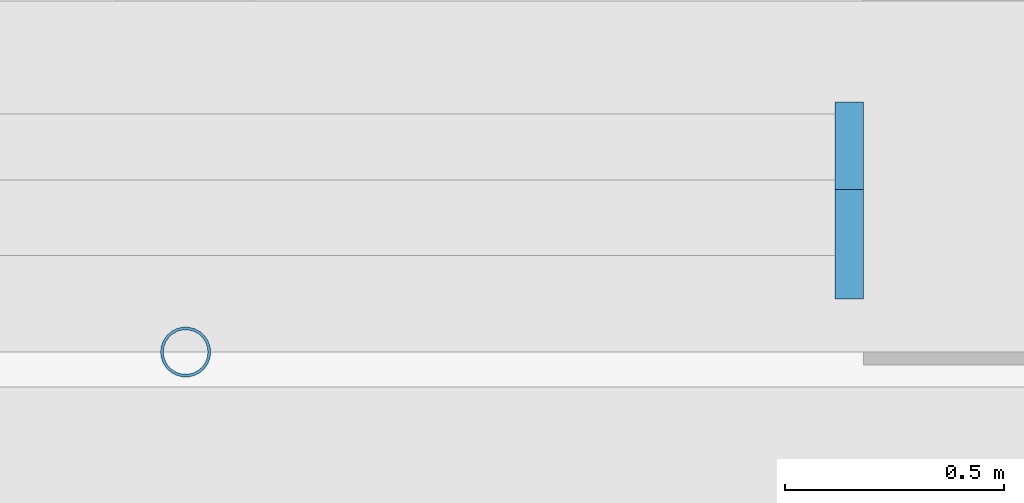
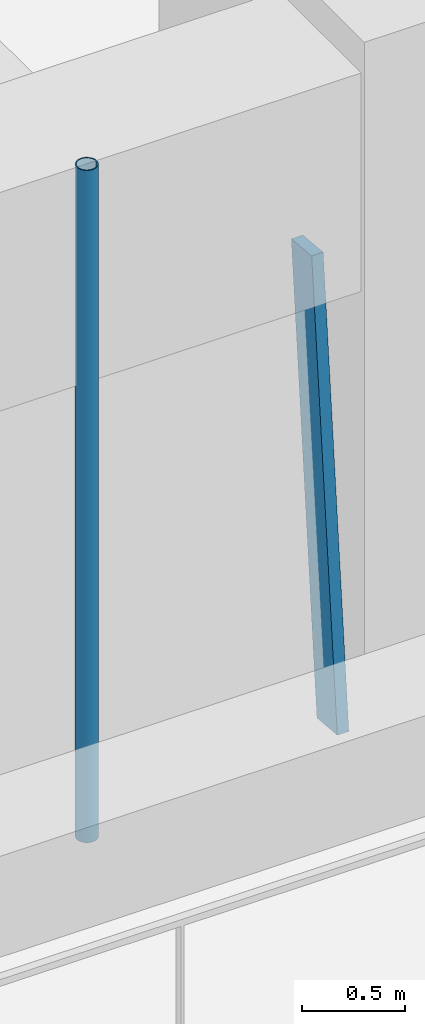
# One storey, part 4 of 23: 2 members, 1 element without a shape of its own.
"""IFC4 building model written with IfcOpenShell, lengths in metres."""

import ifcopenshell
import ifcopenshell.guid

model = None  # the IFC model being written
_history = None  # IfcOwnerHistory: only IFC2X3 demands one
_inside = {}  # id of a spatial element -> (the spatial element, [elements in it])
_under = {}  # id of a project, library or spatial element -> (it, [spatial elements below it])
_declared = {}  # id of a project -> (the project, [libraries it declares])
_typed = {}  # id of a type object -> (the type object, [elements of that type])
_made_of = {}  # id of a material, layer set ... -> (it, [elements and type objects made of it])


def new_model(schema):
    """Start an empty IFC model of exactly this schema.

    Asked for "IFC4X3", IfcOpenShell would pick the latest addendum, in which some entities
    have other attributes; the version numbers below select the first issue.
    IFC2X3 requires an IfcOwnerHistory on every rooted entity: one is made here for all.
    """
    global model, _history
    if schema == "IFC4X3":
        model = ifcopenshell.file(schema_version=(4, 3, 0, 0))
    else:
        model = ifcopenshell.file(schema=schema)
    _inside.clear()
    _under.clear()
    _declared.clear()
    _typed.clear()
    _made_of.clear()
    _history = None
    if model.schema == "IFC2X3":
        org = make("IfcOrganization", Name="unknown")
        user = make(
            "IfcPersonAndOrganization",
            ThePerson=make("IfcPerson", FamilyName="unknown"),
            TheOrganization=org,
        )
        app = make(
            "IfcApplication",
            ApplicationDeveloper=org,
            Version="unknown",
            ApplicationFullName="unknown",
            ApplicationIdentifier="unknown",
        )
        _history = make(
            "IfcOwnerHistory",
            OwningUser=user,
            OwningApplication=app,
            ChangeAction="ADDED",
            CreationDate=0,
        )
    return model


def make(cls, **values):
    """One entity of the class cls with the attributes given. An attribute that is None is left unset."""
    return model.create_entity(
        cls, **{name: value for name, value in values.items() if value is not None}
    )


def rooted(cls, **values):
    """An entity with a GlobalId (a new one), such as an element, a storey or a relation."""
    return make(cls, GlobalId=ifcopenshell.guid.new(), OwnerHistory=_history, **values)


def si_unit(unit_type, name, prefix=None):
    """IfcSIUnit, for example si_unit("LENGTHUNIT", "METRE", prefix="MILLI")."""
    return make("IfcSIUnit", UnitType=unit_type, Prefix=prefix, Name=name)


def assignment(units):
    """IfcUnitAssignment: the units of a project."""
    return None if units is None else make("IfcUnitAssignment", Units=units)


def point(xyz):
    """IfcCartesianPoint."""
    return None if xyz is None else make("IfcCartesianPoint", Coordinates=xyz)


def direction(xyz):
    """IfcDirection."""
    return None if xyz is None else make("IfcDirection", DirectionRatios=xyz)


def frame(location, z_axis=None, x_axis=None):
    """IfcAxis2Placement3D, a coordinate frame: its origin and axes. An axis left out is left unset."""
    return make(
        "IfcAxis2Placement3D",
        Location=point(location),
        Axis=direction(z_axis),
        RefDirection=direction(x_axis),
    )


def frame_2d(location, x_axis=None):
    """IfcAxis2Placement2D, a coordinate frame in the plane: its origin and x axis."""
    return make(
        "IfcAxis2Placement2D", Location=point(location), RefDirection=direction(x_axis)
    )


def origin():
    """The frame at (0, 0, 0) with its axes left unset."""
    return frame((0.0, 0.0, 0.0))


def origin_2d():
    """The frame at (0, 0) in the plane with its x axis left unset."""
    return frame_2d((0.0, 0.0))


def place(relative_to, where):
    """IfcLocalPlacement: puts the frame where relative to a parent placement (None: the world)."""
    return make(
        "IfcLocalPlacement", PlacementRelTo=relative_to, RelativePlacement=where
    )


def context(
    kind, dimensions, precision=None, world=None, true_north=None, identifier=None
):
    """IfcGeometricRepresentationContext, for example the 3D "Model" context."""
    return make(
        "IfcGeometricRepresentationContext",
        ContextIdentifier=identifier,
        ContextType=kind,
        CoordinateSpaceDimension=dimensions,
        Precision=precision,
        WorldCoordinateSystem=world,
        TrueNorth=true_north,
    )


def subcontext(parent, identifier, kind, view, scale=None):
    """IfcGeometricRepresentationSubContext, for example "Body" below "Model"."""
    return make(
        "IfcGeometricRepresentationSubContext",
        ContextIdentifier=identifier,
        ContextType=kind,
        ParentContext=parent,
        TargetScale=scale,
        TargetView=view,
    )


def project(units=None, contexts=None):
    """IfcProject with its units and contexts."""
    return rooted(
        "IfcProject",
        Name="project",
        RepresentationContexts=contexts,
        UnitsInContext=assignment(units),
    )


def spatial(cls, under=None, at=None, **own):
    """A site, building, storey or space (cls), placed at a placement, below another one or the project."""
    s = rooted(cls, ObjectPlacement=at, **own)
    if under is not None:
        _under.setdefault(under.id(), (under, []))[1].append(s)
    return s


def profile(cls, at=None, kind="AREA", **sizes):
    """A parametric profile (cls). Its sizes go by their IFC names, for example OverallWidth=200.0."""
    return make(cls, ProfileType=kind, Position=at, **sizes)


def rectangle(**sizes):
    """IfcRectangleProfileDef."""
    return profile("IfcRectangleProfileDef", **sizes)


def hollow_circle(**sizes):
    """IfcCircleHollowProfileDef."""
    return profile("IfcCircleHollowProfileDef", **sizes)


def extrude(swept, where, along, depth):
    """IfcExtrudedAreaSolid: the profile swept, set in the frame where, extruded along a direction by depth."""
    return make(
        "IfcExtrudedAreaSolid",
        SweptArea=swept,
        Position=where,
        ExtrudedDirection=direction(along),
        Depth=depth,
    )


def shape(context_of_items, identifier, shape_type, items):
    """IfcShapeRepresentation: the items that make up one representation, for example the "Body"."""
    return make(
        "IfcShapeRepresentation",
        ContextOfItems=context_of_items,
        RepresentationIdentifier=identifier,
        RepresentationType=shape_type,
        Items=items,
    )


def material(Name=None, Category=None):
    """IfcMaterial."""
    return make("IfcMaterial", Name=Name, Category=Category)


def material_profile(
    of_material, cross_section, Name=None, Category=None, Priority=None
):
    """IfcMaterialProfile: a cross section and its material."""
    return make(
        "IfcMaterialProfile",
        Name=Name,
        Material=of_material,
        Profile=cross_section,
        Priority=Priority,
        Category=Category,
    )


def profile_set(profiles, Name=None, composite=None):
    """IfcMaterialProfileSet."""
    return make(
        "IfcMaterialProfileSet",
        Name=Name,
        MaterialProfiles=profiles,
        CompositeProfile=composite,
    )


def made_of(thing, what):
    """Note that an element or type object is made of a material, layer set ...; save() writes the relation."""
    if what is not None:
        _made_of.setdefault(what.id(), (what, []))[1].append(thing)
    return thing


def type_object(cls, material=None, **own):
    """A type object (cls), such as IfcWallType, which elements share."""
    return made_of(rooted(cls, **own), material)


def element(
    cls,
    number,
    at=None,
    inside=None,
    cuts=None,
    type_object=None,
    material=None,
    context=None,
    identifier="Body",
    shape_type=None,
    held_by="IfcProductDefinitionShape",
    body=None,
    shapes=None,
    **own,
):
    """One element of the class cls, such as IfcWall. Its Tag is "e" and its number.

    at: its placement. inside: the storey or other place that contains it. cuts: it is an
    opening in that element (IfcRelVoidsElement). A single representation is given by context,
    identifier, shape_type and body (its items); several are given by shapes. held_by: the class
    of the entity that holds the representations. save() writes the other relations.
    """
    e = rooted(cls, Tag="e%d" % number, ObjectPlacement=at, **own)
    if body is not None:
        shapes = [shape(context, identifier, shape_type, body)]
    if shapes is not None:
        e.Representation = make(held_by, Representations=shapes)
    if inside is not None:
        _inside.setdefault(inside.id(), (inside, []))[1].append(e)
    if cuts is not None:
        rooted(
            "IfcRelVoidsElement", RelatingBuildingElement=cuts, RelatedOpeningElement=e
        )
    if type_object is not None:
        _typed.setdefault(type_object.id(), (type_object, []))[1].append(e)
    return made_of(e, material)


def aggregate(whole, parts):
    """IfcRelAggregates: a whole, such as a stair, and the parts it consists of."""
    return rooted("IfcRelAggregates", RelatingObject=whole, RelatedObjects=parts)


def save(model, path):
    """Write the relations noted so far, then the file.

    IfcRelAggregates (storeys below a building ...), IfcRelContainedInSpatialStructure (elements
    in a storey), IfcRelDefinesByType, IfcRelAssociatesMaterial and IfcRelDeclares: one each for
    every whole, place, type object, material and project.
    """
    for whole, parts in _under.values():
        aggregate(whole, parts)
    for where, things in _inside.values():
        rooted(
            "IfcRelContainedInSpatialStructure",
            RelatedElements=things,
            RelatingStructure=where,
        )
    for kind, things in _typed.values():
        rooted("IfcRelDefinesByType", RelatedObjects=things, RelatingType=kind)
    for what, things in _made_of.values():
        rooted("IfcRelAssociatesMaterial", RelatedObjects=things, RelatingMaterial=what)
    for by, libraries in _declared.values():
        rooted("IfcRelDeclares", RelatingContext=by, RelatedDefinitions=libraries)
    model.write(path)


model = new_model("IFC4")

# Units and contexts
model_context = context("Model", 3, precision=1e-05, world=origin(), true_north=direction((0.0, 1.0)))
body_context = subcontext(model_context, "Body", "Model", "MODEL_VIEW")
ifc_project = project(units=[si_unit("LENGTHUNIT", "METRE"), si_unit("AREAUNIT", "SQUARE_METRE"), si_unit("VOLUMEUNIT", "CUBIC_METRE"), si_unit("PLANEANGLEUNIT", "RADIAN"), si_unit("MASSUNIT", "GRAM", prefix="KILO")], contexts=[model_context])

# Site, building, storey
site_placement = place(None, origin())
site = spatial("IfcSite", under=ifc_project, at=site_placement, CompositionType="ELEMENT")
building_placement = place(site_placement, origin())
building = spatial("IfcBuilding", under=site, at=building_placement, Name="Tarfa Lantern Tower", CompositionType="ELEMENT")
storey_placement = place(building_placement, frame((0.0, 0.0, 31.89990234375)))
storey = spatial("IfcBuildingStorey", under=building, at=storey_placement, Name="L06", CompositionType="ELEMENT", Elevation=31.89990234375)

# Curtain wall, member
ifc_material_1 = material(Name="Aluminium framed curtain wall", Category="aluminium")
curtain_wall_type = type_object("IfcCurtainWallType", Name="CW1 CANTED GLAZING LOW ZONE 2700", PredefinedType="USERDEFINED", material=ifc_material_1)
curtain_wall_placement = place(storey_placement, origin())
curtain_wall = element("IfcCurtainWall", 1, at=curtain_wall_placement, inside=storey, type_object=curtain_wall_type, Name="CW1 S L06", ObjectType="CURTAIN WALL", PredefinedType="USERDEFINED")
ifc_material_2 = material(Name="Aluminium mullion", Category="aluminium")
ifc_material_profile_1 = material_profile(ifc_material_2, rectangle(XDim=0.06494140625, YDim=0.199951171875, at=origin_2d()), Name="AL MULLION 65x200")
ifc_profile_set_1 = profile_set([ifc_material_profile_1], Name="Aluminium mullion")
member_type_1 = type_object("IfcMemberType", Name="CWM1 MULLION 65x200", PredefinedType="MULLION", material=ifc_profile_set_1)
member_1_placement = place(storey_placement, frame((9.5947265625, -33.89990234375, 0.0), z_axis=(0.0, 0.092191598296, 0.995741286281), x_axis=(-1.0, 0.0, 0.0)))
member_1 = element("IfcMember", 2, at=member_1_placement, type_object=member_type_1, Name="CW1 mullion 2", PredefinedType="MULLION", context=body_context, shape_type="SweptSolid", body=[
    extrude(rectangle(XDim=0.06494140625, YDim=0.199951171875, at=origin_2d()), origin(), (0.0, 0.0, 1.0), 2.711669921875),
])
aggregate(curtain_wall, [member_1])

# Member
ifc_material_3 = material(Name="Steel S355", Category="steel")
ifc_material_profile_2 = material_profile(ifc_material_3, hollow_circle(Radius=0.05712890625, WallThickness=0.00634765625, at=origin_2d()), Name="CHS114.3x6.3")
ifc_profile_set_2 = profile_set([ifc_material_profile_2], Name="Steel S355")
member_type_2 = type_object("IfcMemberType", Name="TR1 GREEN WALL TRELLIS CHS114.3x6.3", PredefinedType="USERDEFINED", material=ifc_profile_set_2)
member_2_placement = place(storey_placement, frame((8.0830078125, -34.1201171875, 0.0), z_axis=(0.0, 0.0, 1.0), x_axis=(1.0, 0.0, 0.0)))
element("IfcMember", 3, at=member_2_placement, inside=storey, type_object=member_type_2, Name="Trellis post S 2", ObjectType="TRELLIS", PredefinedType="USERDEFINED", context=body_context, shape_type="SweptSolid", body=[
    extrude(hollow_circle(Radius=0.05712890625, WallThickness=0.00634765625, at=origin_2d()), origin(), (0.0, 0.0, 1.0), 4.0),
])

save(model, "model.ifc")
